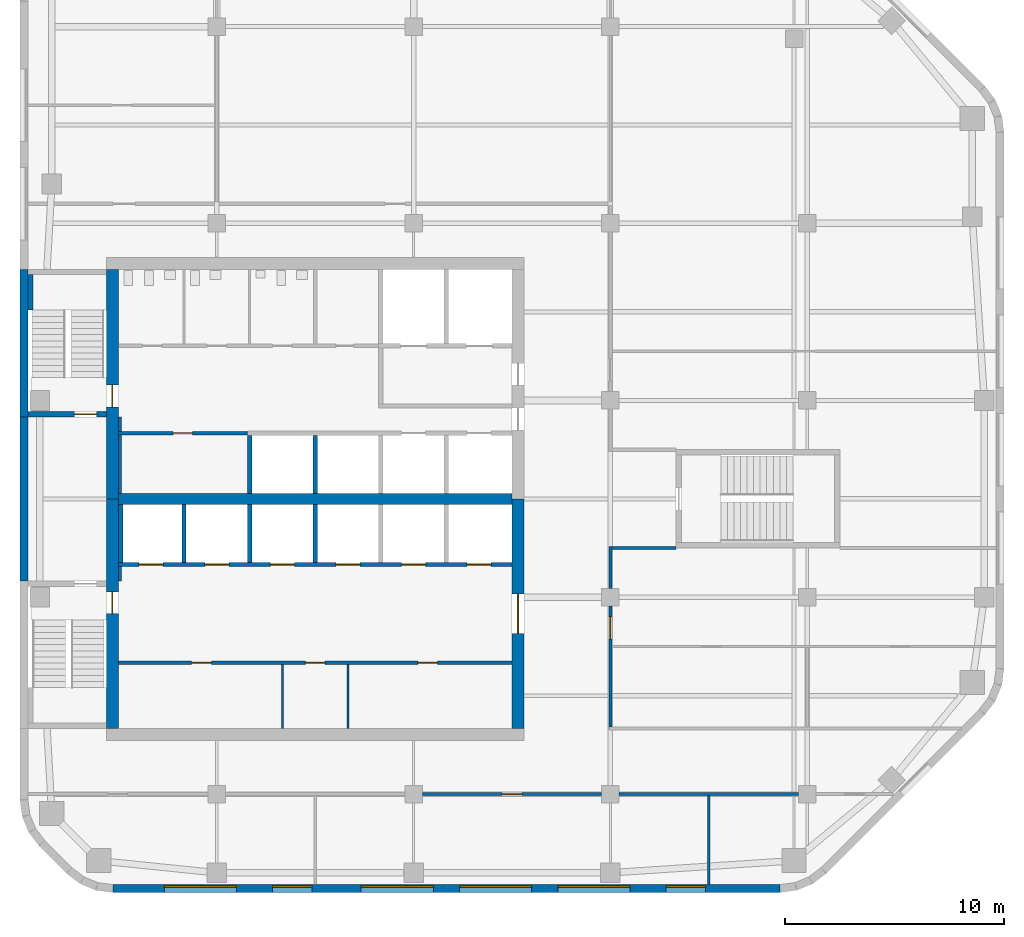
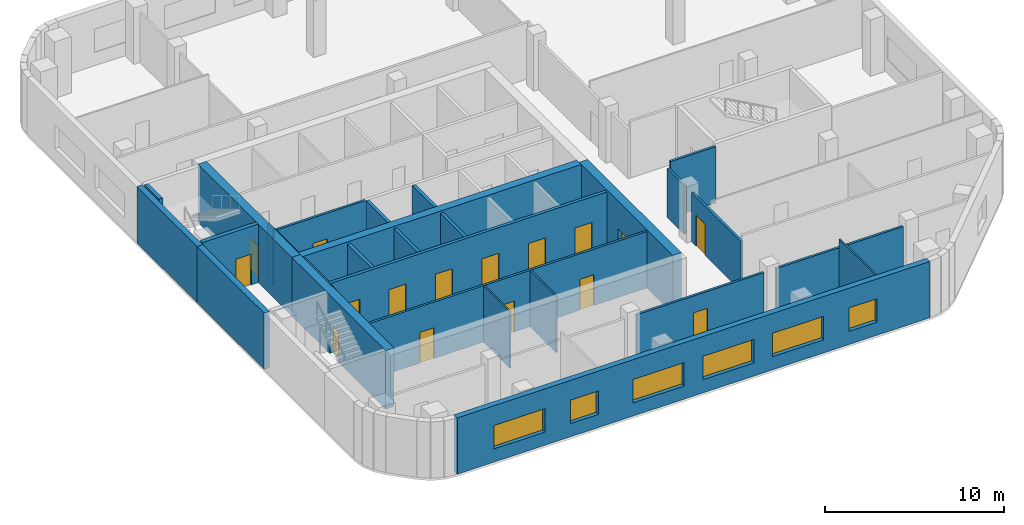
# One storey, part 3 of 7: 29 walls, 16 doors, 6 windows, 22 openings.
"""IFC4 building model written with IfcOpenShell, lengths in metres."""

from ifc_helpers import new_model, si_unit, direction, frame, frame_2d, origin, place, context, subcontext, project, spatial, rectangle, extrude, material, layer, layer_set, type_object, element, fill, save


model = new_model("IFC4")

# Units and contexts
model_context = context("Model", 3, precision=1e-05, world=origin(), true_north=direction((0.0, 1.0)))
body_context = subcontext(model_context, "Body", "Model", "MODEL_VIEW")
ifc_project = project(units=[si_unit("LENGTHUNIT", "METRE"), si_unit("AREAUNIT", "SQUARE_METRE"), si_unit("VOLUMEUNIT", "CUBIC_METRE"), si_unit("PLANEANGLEUNIT", "RADIAN"), si_unit("MASSUNIT", "GRAM", prefix="KILO")], contexts=[model_context])

# Site, building, storey
site_placement = place(None, origin())
site = spatial("IfcSite", under=ifc_project, at=site_placement, CompositionType="ELEMENT")
building_placement = place(site_placement, origin())
building = spatial("IfcBuilding", under=site, at=building_placement, Name="Cinnabar Reach Civic Tower", CompositionType="ELEMENT")
storey_placement = place(building_placement, frame((0.0, 0.0, 230.0)))
storey = spatial("IfcBuildingStorey", under=building, at=storey_placement, Name="L55", CompositionType="ELEMENT", Elevation=230.0)

# Wall, openings, windows
ifc_material_1 = material(Name="Facing brick with insulated backing", Category="masonry")
ifc_layer_1 = layer(ifc_material_1, 0.36)
ifc_layer_set_1 = layer_set([ifc_layer_1], Name="Brick pier and spandrel wall")
wall_type_1 = type_object("IfcWallType", Name="Brick pier and spandrel wall", PredefinedType="STANDARD", material=ifc_layer_set_1)
wall_1_placement = place(storey_placement, frame((4.2426, 13.68, 0.0), z_axis=(0.0, 0.0, 1.0), x_axis=(1.0, 0.0, 0.0)))
wall_1 = element("IfcWall", 1, at=wall_1_placement, inside=storey, type_object=wall_type_1, Name="Brick facade wall", PredefinedType="STANDARD", context=body_context, shape_type="SweptSolid", body=[
    extrude(rectangle(XDim=30.5148, YDim=0.36, at=frame_2d((15.2574, 0.0))), origin(), (0.0, 0.0, 1.0), 3.85),
])
opening_1_placement = place(wall_1_placement, frame((2.3574, 0.0, 0.9)))
opening_1 = element("IfcOpeningElement", 2, at=opening_1_placement, cuts=wall_1, Name="Opening W2120", PredefinedType="OPENING", context=body_context, shape_type="SweptSolid", body=[
    extrude(rectangle(XDim=3.3, YDim=1.6, at=frame_2d((1.65, 0.8))), frame((0.0, 0.19, 0.0), z_axis=(0.0, -1.0, 0.0), x_axis=(1.0, 0.0, 0.0)), (0.0, 0.0, 1.0), 0.38),
])
opening_2_placement = place(wall_1_placement, frame((7.3074, 0.0, 0.9)))
opening_2 = element("IfcOpeningElement", 3, at=opening_2_placement, cuts=wall_1, Name="Opening W2121", PredefinedType="OPENING", context=body_context, shape_type="SweptSolid", body=[
    extrude(rectangle(XDim=1.8, YDim=1.6, at=frame_2d((0.9, 0.8))), frame((0.0, 0.19, 0.0), z_axis=(0.0, -1.0, 0.0), x_axis=(1.0, 0.0, 0.0)), (0.0, 0.0, 1.0), 0.38),
])
opening_3_placement = place(wall_1_placement, frame((11.3574, 0.0, 0.9)))
opening_3 = element("IfcOpeningElement", 4, at=opening_3_placement, cuts=wall_1, Name="Opening W2122", PredefinedType="OPENING", context=body_context, shape_type="SweptSolid", body=[
    extrude(rectangle(XDim=3.3, YDim=1.6, at=frame_2d((1.65, 0.8))), frame((0.0, 0.19, 0.0), z_axis=(0.0, -1.0, 0.0), x_axis=(1.0, 0.0, 0.0)), (0.0, 0.0, 1.0), 0.38),
])
opening_4_placement = place(wall_1_placement, frame((15.8574, 0.0, 0.9)))
opening_4 = element("IfcOpeningElement", 5, at=opening_4_placement, cuts=wall_1, Name="Opening W2123", PredefinedType="OPENING", context=body_context, shape_type="SweptSolid", body=[
    extrude(rectangle(XDim=3.3, YDim=1.6, at=frame_2d((1.65, 0.8))), frame((0.0, 0.19, 0.0), z_axis=(0.0, -1.0, 0.0), x_axis=(1.0, 0.0, 0.0)), (0.0, 0.0, 1.0), 0.38),
])
opening_5_placement = place(wall_1_placement, frame((20.3574, 0.0, 0.9)))
opening_5 = element("IfcOpeningElement", 6, at=opening_5_placement, cuts=wall_1, Name="Opening W2124", PredefinedType="OPENING", context=body_context, shape_type="SweptSolid", body=[
    extrude(rectangle(XDim=3.3, YDim=1.6, at=frame_2d((1.65, 0.8))), frame((0.0, 0.19, 0.0), z_axis=(0.0, -1.0, 0.0), x_axis=(1.0, 0.0, 0.0)), (0.0, 0.0, 1.0), 0.38),
])
opening_6_placement = place(wall_1_placement, frame((25.3074, 0.0, 0.9)))
opening_6 = element("IfcOpeningElement", 7, at=opening_6_placement, cuts=wall_1, Name="Opening W2125", PredefinedType="OPENING", context=body_context, shape_type="SweptSolid", body=[
    extrude(rectangle(XDim=1.8, YDim=1.6, at=frame_2d((0.9, 0.8))), frame((0.0, 0.19, 0.0), z_axis=(0.0, -1.0, 0.0), x_axis=(1.0, 0.0, 0.0)), (0.0, 0.0, 1.0), 0.38),
])
ifc_material_2 = material(Name="Clear double glazing in aluminium frame", Category="aluminium")
window_type_1 = type_object("IfcWindowType", Name="Deep-set window A", PartitioningType="SINGLE_PANEL", PredefinedType="WINDOW", material=ifc_material_2)
window_1_placement = place(opening_1_placement, origin())
window_1 = element("IfcWindow", 8, at=window_1_placement, inside=storey, type_object=window_type_1, Name="Window south face", OverallHeight=1.6, OverallWidth=3.3, PartitioningType="SINGLE_PANEL", PredefinedType="WINDOW", context=body_context, shape_type="SweptSolid", body=[
    extrude(rectangle(XDim=3.3, YDim=1.6, at=frame_2d((1.65, 0.8))), frame((0.0, 0.13, 0.0), z_axis=(0.0, -1.0, 0.0), x_axis=(1.0, 0.0, 0.0)), (0.0, 0.0, 1.0), 0.06),
])
fill(opening_1, window_1)
window_2_placement = place(opening_3_placement, origin())
window_2 = element("IfcWindow", 9, at=window_2_placement, inside=storey, type_object=window_type_1, Name="Window south face", OverallHeight=1.6, OverallWidth=3.3, PartitioningType="SINGLE_PANEL", PredefinedType="WINDOW", context=body_context, shape_type="SweptSolid", body=[
    extrude(rectangle(XDim=3.3, YDim=1.6, at=frame_2d((1.65, 0.8))), frame((0.0, 0.13, 0.0), z_axis=(0.0, -1.0, 0.0), x_axis=(1.0, 0.0, 0.0)), (0.0, 0.0, 1.0), 0.06),
])
fill(opening_3, window_2)
window_3_placement = place(opening_4_placement, origin())
window_3 = element("IfcWindow", 10, at=window_3_placement, inside=storey, type_object=window_type_1, Name="Window south face", OverallHeight=1.6, OverallWidth=3.3, PartitioningType="SINGLE_PANEL", PredefinedType="WINDOW", context=body_context, shape_type="SweptSolid", body=[
    extrude(rectangle(XDim=3.3, YDim=1.6, at=frame_2d((1.65, 0.8))), frame((0.0, 0.13, 0.0), z_axis=(0.0, -1.0, 0.0), x_axis=(1.0, 0.0, 0.0)), (0.0, 0.0, 1.0), 0.06),
])
fill(opening_4, window_3)
window_4_placement = place(opening_5_placement, origin())
window_4 = element("IfcWindow", 11, at=window_4_placement, inside=storey, type_object=window_type_1, Name="Window south face", OverallHeight=1.6, OverallWidth=3.3, PartitioningType="SINGLE_PANEL", PredefinedType="WINDOW", context=body_context, shape_type="SweptSolid", body=[
    extrude(rectangle(XDim=3.3, YDim=1.6, at=frame_2d((1.65, 0.8))), frame((0.0, 0.13, 0.0), z_axis=(0.0, -1.0, 0.0), x_axis=(1.0, 0.0, 0.0)), (0.0, 0.0, 1.0), 0.06),
])
fill(opening_5, window_4)
window_type_2 = type_object("IfcWindowType", Name="Deep-set window D", PartitioningType="SINGLE_PANEL", PredefinedType="WINDOW", material=ifc_material_2)
window_5_placement = place(opening_2_placement, origin())
window_5 = element("IfcWindow", 12, at=window_5_placement, inside=storey, type_object=window_type_2, Name="Window south face", OverallHeight=1.6, OverallWidth=1.8, PartitioningType="SINGLE_PANEL", PredefinedType="WINDOW", context=body_context, shape_type="SweptSolid", body=[
    extrude(rectangle(XDim=1.8, YDim=1.6, at=frame_2d((0.9, 0.8))), frame((0.0, 0.13, 0.0), z_axis=(0.0, -1.0, 0.0), x_axis=(1.0, 0.0, 0.0)), (0.0, 0.0, 1.0), 0.06),
])
fill(opening_2, window_5)
window_6_placement = place(opening_6_placement, origin())
window_6 = element("IfcWindow", 13, at=window_6_placement, inside=storey, type_object=window_type_2, Name="Window south face", OverallHeight=1.6, OverallWidth=1.8, PartitioningType="SINGLE_PANEL", PredefinedType="WINDOW", context=body_context, shape_type="SweptSolid", body=[
    extrude(rectangle(XDim=1.8, YDim=1.6, at=frame_2d((0.9, 0.8))), frame((0.0, 0.13, 0.0), z_axis=(0.0, -1.0, 0.0), x_axis=(1.0, 0.0, 0.0)), (0.0, 0.0, 1.0), 0.06),
])
fill(opening_6, window_6)

# Walls
wall_2_placement = place(storey_placement, frame((0.18, 42.0, 0.0), z_axis=(0.0, 0.0, 1.0), x_axis=(0.0, -1.0, 0.0)))
element("IfcWall", 14, at=wall_2_placement, inside=storey, type_object=wall_type_1, Name="Brick facade wall", PredefinedType="STANDARD", context=body_context, shape_type="SweptSolid", body=[
    extrude(rectangle(XDim=6.75, YDim=0.36, at=frame_2d((3.375, 0.0))), origin(), (0.0, 0.0, 1.0), 3.85),
])
wall_3_placement = place(storey_placement, frame((0.18, 35.25, 0.0), z_axis=(0.0, 0.0, 1.0), x_axis=(0.0, -1.0, 0.0)))
element("IfcWall", 15, at=wall_3_placement, inside=storey, type_object=wall_type_1, Name="Brick facade wall", PredefinedType="STANDARD", context=body_context, shape_type="SweptSolid", body=[
    extrude(rectangle(XDim=7.5, YDim=0.36, at=frame_2d((3.75, 0.0))), origin(), (0.0, 0.0, 1.0), 3.85),
])
ifc_material_3 = material(Name="Concrete C60", Category="concrete")
ifc_layer_2 = layer(ifc_material_3, 0.5)
ifc_layer_set_2 = layer_set([ifc_layer_2], Name="Core wall 500 EI 180")
wall_type_2 = type_object("IfcWallType", Name="Core wall 500 EI 180", PredefinedType="SOLIDWALL", material=ifc_layer_set_2)
wall_4_placement = place(storey_placement, frame((4.5, 31.5, 0.0), z_axis=(0.0, 0.0, 1.0), x_axis=(1.0, 0.0, 0.0)))
element("IfcWall", 16, at=wall_4_placement, inside=storey, type_object=wall_type_2, Name="Core spine wall T1 L55", PredefinedType="SOLIDWALL", context=body_context, shape_type="SweptSolid", body=[
    extrude(rectangle(XDim=18.0, YDim=0.5, at=frame_2d((9.0, 0.0))), origin(), (0.0, 0.0, 1.0), 4.0),
])

# Wall, opening, door
ifc_layer_3 = layer(ifc_material_3, 0.55)
ifc_layer_set_3 = layer_set([ifc_layer_3], Name="Core wall 550 EI 180")
wall_type_3 = type_object("IfcWallType", Name="Core wall 550 EI 180", PredefinedType="SOLIDWALL", material=ifc_layer_set_3)
wall_5_placement = place(storey_placement, frame((22.775, 21.0, 0.0), z_axis=(0.0, 0.0, 1.0), x_axis=(0.0, 1.0, 0.0)))
wall_5 = element("IfcWall", 17, at=wall_5_placement, inside=storey, type_object=wall_type_3, Name="Core wall T1 L55 E", PredefinedType="SOLIDWALL", context=body_context, shape_type="SweptSolid", body=[
    extrude(rectangle(XDim=10.5, YDim=0.55, at=frame_2d((5.25, 0.0))), origin(), (0.0, 0.0, 1.0), 4.0),
])
opening_7_placement = place(wall_5_placement, frame((4.35, 0.0, 0.0)))
opening_7 = element("IfcOpeningElement", 18, at=opening_7_placement, cuts=wall_5, Name="Opening D5239", PredefinedType="OPENING", context=body_context, shape_type="SweptSolid", body=[
    extrude(rectangle(XDim=1.8, YDim=2.1, at=frame_2d((0.9, 1.05))), frame((0.0, 0.285, 0.0), z_axis=(0.0, -1.0, 0.0), x_axis=(1.0, 0.0, 0.0)), (0.0, 0.0, 1.0), 0.57),
])
ifc_material_4 = material(Name="Timber door leaf in steel frame", Category="steel")
door_type_1 = type_object("IfcDoorType", Name="Double swing door 1800 x 2100 T1", OperationType="DOUBLE_DOOR_DOUBLE_SWING", PredefinedType="DOOR", material=ifc_material_4)
door_1_placement = place(opening_7_placement, origin())
door_1 = element("IfcDoor", 19, at=door_1_placement, inside=storey, type_object=door_type_1, Name="Door D5239", OperationType="DOUBLE_DOOR_DOUBLE_SWING", OverallHeight=2.1, OverallWidth=1.8, PredefinedType="DOOR", context=body_context, shape_type="SweptSolid", body=[
    extrude(rectangle(XDim=1.8, YDim=2.1, at=frame_2d((0.9, 1.05))), frame((0.0, 0.025, 0.0), z_axis=(0.0, -1.0, 0.0), x_axis=(1.0, 0.0, 0.0)), (0.0, 0.0, 1.0), 0.05),
])
fill(opening_7, door_1)

wall_6_placement = place(storey_placement, frame((4.225, 42.0, 0.0), z_axis=(0.0, 0.0, 1.0), x_axis=(0.0, -1.0, 0.0)))
wall_6 = element("IfcWall", 20, at=wall_6_placement, inside=storey, type_object=wall_type_3, Name="Core wall T1 L55 W", PredefinedType="SOLIDWALL", context=body_context, shape_type="SweptSolid", body=[
    extrude(rectangle(XDim=10.5, YDim=0.55, at=frame_2d((5.25, 0.0))), origin(), (0.0, 0.0, 1.0), 4.0),
])
opening_8_placement = place(wall_6_placement, frame((5.3, 0.0, 0.0)))
opening_8 = element("IfcOpeningElement", 21, at=opening_8_placement, cuts=wall_6, Name="Opening D5227", PredefinedType="OPENING", context=body_context, shape_type="SweptSolid", body=[
    extrude(rectangle(XDim=1.0, YDim=2.1, at=frame_2d((0.5, 1.05))), frame((0.0, 0.285, 0.0), z_axis=(0.0, -1.0, 0.0), x_axis=(1.0, 0.0, 0.0)), (0.0, 0.0, 1.0), 0.57),
])
door_type_2 = type_object("IfcDoorType", Name="Stair door 1000 x 2100 T1", OperationType="SINGLE_SWING_LEFT", PredefinedType="DOOR", material=ifc_material_4)
door_2_placement = place(opening_8_placement, frame((1.0, 0.0, 0.0), z_axis=(0.0, 0.0, 1.0), x_axis=(-1.0, 0.0, 0.0)))
door_2 = element("IfcDoor", 22, at=door_2_placement, inside=storey, type_object=door_type_2, Name="Door D5227", OperationType="SINGLE_SWING_LEFT", OverallHeight=2.1, OverallWidth=1.0, PredefinedType="DOOR", context=body_context, shape_type="SweptSolid", body=[
    extrude(rectangle(XDim=1.0, YDim=2.1, at=frame_2d((0.5, 1.05))), frame((0.0, 0.025, 0.0), z_axis=(0.0, -1.0, 0.0), x_axis=(1.0, 0.0, 0.0)), (0.0, 0.0, 1.0), 0.05),
])
fill(opening_8, door_2)

wall_7_placement = place(storey_placement, frame((4.225, 31.5, 0.0), z_axis=(0.0, 0.0, 1.0), x_axis=(0.0, -1.0, 0.0)))
wall_7 = element("IfcWall", 23, at=wall_7_placement, inside=storey, type_object=wall_type_3, Name="Core wall T1 L55 W2", PredefinedType="SOLIDWALL", context=body_context, shape_type="SweptSolid", body=[
    extrude(rectangle(XDim=10.5, YDim=0.55, at=frame_2d((5.25, 0.0))), origin(), (0.0, 0.0, 1.0), 4.0),
])
opening_9_placement = place(wall_7_placement, frame((4.25, 0.0, 0.0)))
opening_9 = element("IfcOpeningElement", 24, at=opening_9_placement, cuts=wall_7, Name="Opening D5225", PredefinedType="OPENING", context=body_context, shape_type="SweptSolid", body=[
    extrude(rectangle(XDim=1.0, YDim=2.1, at=frame_2d((0.5, 1.05))), frame((0.0, 0.285, 0.0), z_axis=(0.0, -1.0, 0.0), x_axis=(1.0, 0.0, 0.0)), (0.0, 0.0, 1.0), 0.57),
])
door_3_placement = place(opening_9_placement, frame((1.0, 0.0, 0.0), z_axis=(0.0, 0.0, 1.0), x_axis=(-1.0, 0.0, 0.0)))
door_3 = element("IfcDoor", 25, at=door_3_placement, inside=storey, type_object=door_type_2, Name="Door D5225", OperationType="SINGLE_SWING_RIGHT", OverallHeight=2.1, OverallWidth=1.0, PredefinedType="DOOR", context=body_context, shape_type="SweptSolid", body=[
    extrude(rectangle(XDim=1.0, YDim=2.1, at=frame_2d((0.5, 1.05))), frame((0.0, 0.025, 0.0), z_axis=(0.0, -1.0, 0.0), x_axis=(1.0, 0.0, 0.0)), (0.0, 0.0, 1.0), 0.05),
])
fill(opening_9, door_3)

# Wall
ifc_material_5 = material(Name="Gypsum board on steel studs, double layer", Category="steel")
ifc_layer_4 = layer(ifc_material_5, 0.15)
ifc_layer_set_4 = layer_set([ifc_layer_4], Name="Corridor wall 150 T1")
wall_type_4 = type_object("IfcWallType", Name="Corridor wall 150 T1", PredefinedType="PARTITIONING", material=ifc_layer_set_4)
wall_8_placement = place(storey_placement, frame((27.4, 18.0, 0.0), z_axis=(0.0, 0.0, 1.0), x_axis=(1.0, 0.0, 0.0)))
element("IfcWall", 26, at=wall_8_placement, inside=storey, type_object=wall_type_4, Name="Corridor wall 19", PredefinedType="PARTITIONING", context=body_context, shape_type="SweptSolid", body=[
    extrude(rectangle(XDim=8.2, YDim=0.15, at=frame_2d((4.1, 0.0))), origin(), (0.0, 0.0, 1.0), 3.254),
])

# Wall, opening, door
wall_9_placement = place(storey_placement, frame((18.4, 18.0, 0.0), z_axis=(0.0, 0.0, 1.0), x_axis=(1.0, 0.0, 0.0)))
wall_9 = element("IfcWall", 27, at=wall_9_placement, inside=storey, type_object=wall_type_4, Name="Corridor wall 20", PredefinedType="PARTITIONING", context=body_context, shape_type="SweptSolid", body=[
    extrude(rectangle(XDim=8.2, YDim=0.15, at=frame_2d((4.1, 0.0))), origin(), (0.0, 0.0, 1.0), 3.254),
])
opening_10_placement = place(wall_9_placement, frame((3.65, 0.0, 0.0)))
opening_10 = element("IfcOpeningElement", 28, at=opening_10_placement, cuts=wall_9, Name="Opening D5257", PredefinedType="OPENING", context=body_context, shape_type="SweptSolid", body=[
    extrude(rectangle(XDim=0.9, YDim=2.1, at=frame_2d((0.45, 1.05))), frame((0.0, 0.085, 0.0), z_axis=(0.0, -1.0, 0.0), x_axis=(1.0, 0.0, 0.0)), (0.0, 0.0, 1.0), 0.17),
])
door_type_3 = type_object("IfcDoorType", Name="Single swing door 900 x 2100 corridor T1", OperationType="SINGLE_SWING_LEFT", PredefinedType="DOOR", material=ifc_material_4)
door_4_placement = place(opening_10_placement, frame((0.9, 0.0, 0.0), z_axis=(0.0, 0.0, 1.0), x_axis=(-1.0, 0.0, 0.0)))
door_4 = element("IfcDoor", 29, at=door_4_placement, inside=storey, type_object=door_type_3, Name="Door D5257", OperationType="SINGLE_SWING_RIGHT", OverallHeight=2.1, OverallWidth=0.9, PredefinedType="DOOR", context=body_context, shape_type="SweptSolid", body=[
    extrude(rectangle(XDim=0.9, YDim=2.1, at=frame_2d((0.45, 1.05))), frame((0.0, 0.025, 0.0), z_axis=(0.0, -1.0, 0.0), x_axis=(1.0, 0.0, 0.0)), (0.0, 0.0, 1.0), 0.05),
])
fill(opening_10, door_4)

# Wall, openings, doors
wall_10_placement = place(storey_placement, frame((4.5, 24.0, 0.0), z_axis=(0.0, 0.0, 1.0), x_axis=(1.0, 0.0, 0.0)))
wall_10 = element("IfcWall", 30, at=wall_10_placement, inside=storey, type_object=wall_type_4, Name="Corridor wall 24", PredefinedType="PARTITIONING", context=body_context, shape_type="SweptSolid", body=[
    extrude(rectangle(XDim=18.0, YDim=0.15, at=frame_2d((9.0, 0.0))), origin(), (0.0, 0.0, 1.0), 3.85),
])
opening_11_placement = place(wall_10_placement, frame((3.35, 0.0, 0.0)))
opening_11 = element("IfcOpeningElement", 31, at=opening_11_placement, cuts=wall_10, Name="Opening D5243", PredefinedType="OPENING", context=body_context, shape_type="SweptSolid", body=[
    extrude(rectangle(XDim=0.9, YDim=2.1, at=frame_2d((0.45, 1.05))), frame((0.0, 0.085, 0.0), z_axis=(0.0, -1.0, 0.0), x_axis=(1.0, 0.0, 0.0)), (0.0, 0.0, 1.0), 0.17),
])
opening_12_placement = place(wall_10_placement, frame((8.55, 0.0, 0.0)))
opening_12 = element("IfcOpeningElement", 32, at=opening_12_placement, cuts=wall_10, Name="Opening D5244", PredefinedType="OPENING", context=body_context, shape_type="SweptSolid", body=[
    extrude(rectangle(XDim=0.9, YDim=2.1, at=frame_2d((0.45, 1.05))), frame((0.0, 0.085, 0.0), z_axis=(0.0, -1.0, 0.0), x_axis=(1.0, 0.0, 0.0)), (0.0, 0.0, 1.0), 0.17),
])
opening_13_placement = place(wall_10_placement, frame((13.7, 0.0, 0.0)))
opening_13 = element("IfcOpeningElement", 33, at=opening_13_placement, cuts=wall_10, Name="Opening D5245", PredefinedType="OPENING", context=body_context, shape_type="SweptSolid", body=[
    extrude(rectangle(XDim=0.9, YDim=2.1, at=frame_2d((0.45, 1.05))), frame((0.0, 0.085, 0.0), z_axis=(0.0, -1.0, 0.0), x_axis=(1.0, 0.0, 0.0)), (0.0, 0.0, 1.0), 0.17),
])
door_5_placement = place(opening_11_placement, frame((0.9, 0.0, 0.0), z_axis=(0.0, 0.0, 1.0), x_axis=(-1.0, 0.0, 0.0)))
door_5 = element("IfcDoor", 34, at=door_5_placement, inside=storey, type_object=door_type_3, Name="Door D5243", OperationType="SINGLE_SWING_RIGHT", OverallHeight=2.1, OverallWidth=0.9, PredefinedType="DOOR", context=body_context, shape_type="SweptSolid", body=[
    extrude(rectangle(XDim=0.9, YDim=2.1, at=frame_2d((0.45, 1.05))), frame((0.0, 0.025, 0.0), z_axis=(0.0, -1.0, 0.0), x_axis=(1.0, 0.0, 0.0)), (0.0, 0.0, 1.0), 0.05),
])
fill(opening_11, door_5)
door_6_placement = place(opening_12_placement, frame((0.9, 0.0, 0.0), z_axis=(0.0, 0.0, 1.0), x_axis=(-1.0, 0.0, 0.0)))
door_6 = element("IfcDoor", 35, at=door_6_placement, inside=storey, type_object=door_type_3, Name="Door D5244", OperationType="SINGLE_SWING_RIGHT", OverallHeight=2.1, OverallWidth=0.9, PredefinedType="DOOR", context=body_context, shape_type="SweptSolid", body=[
    extrude(rectangle(XDim=0.9, YDim=2.1, at=frame_2d((0.45, 1.05))), frame((0.0, 0.025, 0.0), z_axis=(0.0, -1.0, 0.0), x_axis=(1.0, 0.0, 0.0)), (0.0, 0.0, 1.0), 0.05),
])
fill(opening_12, door_6)
door_7_placement = place(opening_13_placement, frame((0.9, 0.0, 0.0), z_axis=(0.0, 0.0, 1.0), x_axis=(-1.0, 0.0, 0.0)))
door_7 = element("IfcDoor", 36, at=door_7_placement, inside=storey, type_object=door_type_3, Name="Door D5245", OperationType="SINGLE_SWING_RIGHT", OverallHeight=2.1, OverallWidth=0.9, PredefinedType="DOOR", context=body_context, shape_type="SweptSolid", body=[
    extrude(rectangle(XDim=0.9, YDim=2.1, at=frame_2d((0.45, 1.05))), frame((0.0, 0.025, 0.0), z_axis=(0.0, -1.0, 0.0), x_axis=(1.0, 0.0, 0.0)), (0.0, 0.0, 1.0), 0.05),
])
fill(opening_13, door_7)

# Wall, opening, door
wall_11_placement = place(storey_placement, frame((27.0, 21.075, 0.0), z_axis=(0.0, 0.0, 1.0), x_axis=(0.0, 1.0, 0.0)))
wall_11 = element("IfcWall", 37, at=wall_11_placement, inside=storey, type_object=wall_type_4, Name="Corridor wall 30", PredefinedType="PARTITIONING", context=body_context, shape_type="SweptSolid", body=[
    extrude(rectangle(XDim=5.525, YDim=0.15, at=frame_2d((2.7625, 0.0))), origin(), (0.0, 0.0, 1.0), 3.35),
])
opening_14_placement = place(wall_11_placement, frame((4.025, 0.0, 0.0)))
opening_14 = element("IfcOpeningElement", 38, at=opening_14_placement, cuts=wall_11, Name="Opening D5253", PredefinedType="OPENING", context=body_context, shape_type="SweptSolid", body=[
    extrude(rectangle(XDim=1.0, YDim=2.1, at=frame_2d((0.5, 1.05))), frame((0.0, 0.085, 0.0), z_axis=(0.0, -1.0, 0.0), x_axis=(1.0, 0.0, 0.0)), (0.0, 0.0, 1.0), 0.17),
])
door_type_4 = type_object("IfcDoorType", Name="Tenancy entrance door 1000 x 2100 T1", OperationType="SINGLE_SWING_LEFT", PredefinedType="DOOR", material=ifc_material_4)
door_8_placement = place(opening_14_placement, frame((1.0, 0.0, 0.0), z_axis=(0.0, 0.0, 1.0), x_axis=(-1.0, 0.0, 0.0)))
door_8 = element("IfcDoor", 39, at=door_8_placement, inside=storey, type_object=door_type_4, Name="Door D5253", OperationType="SINGLE_SWING_RIGHT", OverallHeight=2.1, OverallWidth=1.0, PredefinedType="DOOR", context=body_context, shape_type="SweptSolid", body=[
    extrude(rectangle(XDim=1.0, YDim=2.1, at=frame_2d((0.5, 1.05))), frame((0.0, 0.025, 0.0), z_axis=(0.0, -1.0, 0.0), x_axis=(1.0, 0.0, 0.0)), (0.0, 0.0, 1.0), 0.05),
])
fill(opening_14, door_8)

# Wall
wall_12_placement = place(storey_placement, frame((27.0, 27.4, 0.0), z_axis=(0.0, 0.0, 1.0), x_axis=(0.0, 1.0, 0.0)))
element("IfcWall", 40, at=wall_12_placement, inside=storey, type_object=wall_type_4, Name="Corridor wall 31", PredefinedType="PARTITIONING", context=body_context, shape_type="SweptSolid", body=[
    extrude(rectangle(XDim=1.925, YDim=0.15, at=frame_2d((0.9625, 0.0))), origin(), (0.0, 0.0, 1.0), 3.35),
])

# Wall, opening, door
wall_13_placement = place(storey_placement, frame((4.5, 34.5, 0.0), z_axis=(0.0, 0.0, 1.0), x_axis=(1.0, 0.0, 0.0)))
wall_13 = element("IfcWall", 41, at=wall_13_placement, inside=storey, type_object=wall_type_4, Name="Corridor wall 32", PredefinedType="PARTITIONING", context=body_context, shape_type="SweptSolid", body=[
    extrude(rectangle(XDim=5.9, YDim=0.15, at=frame_2d((2.95, 0.0))), origin(), (0.0, 0.0, 1.0), 3.85),
])
opening_15_placement = place(wall_13_placement, frame((2.5, 0.0, 0.0)))
opening_15 = element("IfcOpeningElement", 42, at=opening_15_placement, cuts=wall_13, Name="Opening D5246", PredefinedType="OPENING", context=body_context, shape_type="SweptSolid", body=[
    extrude(rectangle(XDim=0.9, YDim=2.1, at=frame_2d((0.45, 1.05))), frame((0.0, 0.085, 0.0), z_axis=(0.0, -1.0, 0.0), x_axis=(1.0, 0.0, 0.0)), (0.0, 0.0, 1.0), 0.17),
])
door_9_placement = place(opening_15_placement, frame((0.9, 0.0, 0.0), z_axis=(0.0, 0.0, 1.0), x_axis=(-1.0, 0.0, 0.0)))
door_9 = element("IfcDoor", 43, at=door_9_placement, inside=storey, type_object=door_type_3, Name="Door D5246", OperationType="SINGLE_SWING_LEFT", OverallHeight=2.1, OverallWidth=0.9, PredefinedType="DOOR", context=body_context, shape_type="SweptSolid", body=[
    extrude(rectangle(XDim=0.9, YDim=2.1, at=frame_2d((0.45, 1.05))), frame((0.0, 0.025, 0.0), z_axis=(0.0, -1.0, 0.0), x_axis=(1.0, 0.0, 0.0)), (0.0, 0.0, 1.0), 0.05),
])
fill(opening_15, door_9)

# Walls
wall_14_placement = place(storey_placement, frame((4.575, 34.575, 0.0), z_axis=(0.0, 0.0, 1.0), x_axis=(0.0, 1.0, 0.0)))
element("IfcWall", 44, at=wall_14_placement, inside=storey, type_object=wall_type_4, Name="Corridor wall 33", PredefinedType="PARTITIONING", context=body_context, shape_type="SweptSolid", body=[
    extrude(rectangle(XDim=0.675, YDim=0.15, at=frame_2d((0.3375, 0.0))), origin(), (0.0, 0.0, 1.0), 3.85),
])
wall_15_placement = place(storey_placement, frame((4.575, 31.75, 0.0), z_axis=(0.0, 0.0, 1.0), x_axis=(0.0, 1.0, 0.0)))
element("IfcWall", 45, at=wall_15_placement, inside=storey, type_object=wall_type_4, Name="Corridor wall 34", PredefinedType="PARTITIONING", context=body_context, shape_type="SweptSolid", body=[
    extrude(rectangle(XDim=2.675, YDim=0.15, at=frame_2d((1.3375, 0.0))), origin(), (0.0, 0.0, 1.0), 3.85),
])
wall_16_placement = place(storey_placement, frame((27.075, 29.25, 0.0), z_axis=(0.0, 0.0, 1.0), x_axis=(1.0, 0.0, 0.0)))
element("IfcWall", 46, at=wall_16_placement, inside=storey, type_object=wall_type_4, Name="Corridor wall 35", PredefinedType="PARTITIONING", context=body_context, shape_type="SweptSolid", body=[
    extrude(rectangle(XDim=2.925, YDim=0.15, at=frame_2d((1.4625, 0.0))), origin(), (0.0, 0.0, 1.0), 3.85),
])
wall_17_placement = place(storey_placement, frame((4.575, 27.75, 0.0), z_axis=(0.0, 0.0, 1.0), x_axis=(0.0, 1.0, 0.0)))
element("IfcWall", 47, at=wall_17_placement, inside=storey, type_object=wall_type_4, Name="Corridor wall 37", PredefinedType="PARTITIONING", context=body_context, shape_type="SweptSolid", body=[
    extrude(rectangle(XDim=0.65, YDim=0.15, at=frame_2d((0.325, 0.0))), origin(), (0.0, 0.0, 1.0), 3.85),
])

# Wall, openings, doors
ifc_material_6 = material(Name="Blockwork", Category="masonry")
ifc_layer_5 = layer(ifc_material_6, 0.2)
ifc_layer_set_5 = layer_set([ifc_layer_5], Name="Lift shaft wall 200 T1")
wall_type_5 = type_object("IfcWallType", Name="Lift shaft wall 200 T1", PredefinedType="PARTITIONING", material=ifc_layer_set_5)
wall_18_placement = place(storey_placement, frame((4.5, 28.5, 0.0), z_axis=(0.0, 0.0, 1.0), x_axis=(1.0, 0.0, 0.0)))
wall_18 = element("IfcWall", 48, at=wall_18_placement, inside=storey, type_object=wall_type_5, Name="Lift shaft wall 4", PredefinedType="PARTITIONING", context=body_context, shape_type="SweptSolid", body=[
    extrude(rectangle(XDim=18.0, YDim=0.2, at=frame_2d((9.0, 0.0))), origin(), (0.0, 0.0, 1.0), 3.85),
])
opening_16_placement = place(wall_18_placement, frame((0.95, 0.0, 0.0)))
opening_16 = element("IfcOpeningElement", 49, at=opening_16_placement, cuts=wall_18, Name="Opening D5229", PredefinedType="OPENING", context=body_context, shape_type="SweptSolid", body=[
    extrude(rectangle(XDim=1.1, YDim=2.1, at=frame_2d((0.55, 1.05))), frame((0.0, 0.11, 0.0), z_axis=(0.0, -1.0, 0.0), x_axis=(1.0, 0.0, 0.0)), (0.0, 0.0, 1.0), 0.22),
])
opening_17_placement = place(wall_18_placement, frame((3.95, 0.0, 0.0)))
opening_17 = element("IfcOpeningElement", 50, at=opening_17_placement, cuts=wall_18, Name="Opening D5230", PredefinedType="OPENING", context=body_context, shape_type="SweptSolid", body=[
    extrude(rectangle(XDim=1.1, YDim=2.1, at=frame_2d((0.55, 1.05))), frame((0.0, 0.11, 0.0), z_axis=(0.0, -1.0, 0.0), x_axis=(1.0, 0.0, 0.0)), (0.0, 0.0, 1.0), 0.22),
])
opening_18_placement = place(wall_18_placement, frame((6.95, 0.0, 0.0)))
opening_18 = element("IfcOpeningElement", 51, at=opening_18_placement, cuts=wall_18, Name="Opening D5231", PredefinedType="OPENING", context=body_context, shape_type="SweptSolid", body=[
    extrude(rectangle(XDim=1.1, YDim=2.1, at=frame_2d((0.55, 1.05))), frame((0.0, 0.11, 0.0), z_axis=(0.0, -1.0, 0.0), x_axis=(1.0, 0.0, 0.0)), (0.0, 0.0, 1.0), 0.22),
])
opening_19_placement = place(wall_18_placement, frame((9.95, 0.0, 0.0)))
opening_19 = element("IfcOpeningElement", 52, at=opening_19_placement, cuts=wall_18, Name="Opening D5232", PredefinedType="OPENING", context=body_context, shape_type="SweptSolid", body=[
    extrude(rectangle(XDim=1.1, YDim=2.1, at=frame_2d((0.55, 1.05))), frame((0.0, 0.11, 0.0), z_axis=(0.0, -1.0, 0.0), x_axis=(1.0, 0.0, 0.0)), (0.0, 0.0, 1.0), 0.22),
])
opening_20_placement = place(wall_18_placement, frame((12.95, 0.0, 0.0)))
opening_20 = element("IfcOpeningElement", 53, at=opening_20_placement, cuts=wall_18, Name="Opening D5233", PredefinedType="OPENING", context=body_context, shape_type="SweptSolid", body=[
    extrude(rectangle(XDim=1.1, YDim=2.1, at=frame_2d((0.55, 1.05))), frame((0.0, 0.11, 0.0), z_axis=(0.0, -1.0, 0.0), x_axis=(1.0, 0.0, 0.0)), (0.0, 0.0, 1.0), 0.22),
])
opening_21_placement = place(wall_18_placement, frame((15.95, 0.0, 0.0)))
opening_21 = element("IfcOpeningElement", 54, at=opening_21_placement, cuts=wall_18, Name="Opening D5234", PredefinedType="OPENING", context=body_context, shape_type="SweptSolid", body=[
    extrude(rectangle(XDim=1.1, YDim=2.1, at=frame_2d((0.55, 1.05))), frame((0.0, 0.11, 0.0), z_axis=(0.0, -1.0, 0.0), x_axis=(1.0, 0.0, 0.0)), (0.0, 0.0, 1.0), 0.22),
])
ifc_material_7 = material(Name="Stainless steel sliding door", Category="steel")
door_type_5 = type_object("IfcDoorType", Name="Lift landing door 1100 x 2100 T1", OperationType="SLIDING_TO_LEFT", PredefinedType="DOOR", material=ifc_material_7)
door_10_placement = place(opening_16_placement, origin())
door_10 = element("IfcDoor", 55, at=door_10_placement, inside=storey, type_object=door_type_5, Name="Lift landing door HR1 L55", OperationType="SLIDING_TO_LEFT", OverallHeight=2.1, OverallWidth=1.1, PredefinedType="DOOR", context=body_context, shape_type="SweptSolid", body=[
    extrude(rectangle(XDim=1.1, YDim=2.1, at=frame_2d((0.55, 1.05))), frame((0.0, 0.025, 0.0), z_axis=(0.0, -1.0, 0.0), x_axis=(1.0, 0.0, 0.0)), (0.0, 0.0, 1.0), 0.05),
])
fill(opening_16, door_10)
door_11_placement = place(opening_17_placement, origin())
door_11 = element("IfcDoor", 56, at=door_11_placement, inside=storey, type_object=door_type_5, Name="Lift landing door HR2 L55", OperationType="SLIDING_TO_LEFT", OverallHeight=2.1, OverallWidth=1.1, PredefinedType="DOOR", context=body_context, shape_type="SweptSolid", body=[
    extrude(rectangle(XDim=1.1, YDim=2.1, at=frame_2d((0.55, 1.05))), frame((0.0, 0.025, 0.0), z_axis=(0.0, -1.0, 0.0), x_axis=(1.0, 0.0, 0.0)), (0.0, 0.0, 1.0), 0.05),
])
fill(opening_17, door_11)
door_12_placement = place(opening_18_placement, origin())
door_12 = element("IfcDoor", 57, at=door_12_placement, inside=storey, type_object=door_type_5, Name="Lift landing door HR3 L55", OperationType="SLIDING_TO_LEFT", OverallHeight=2.1, OverallWidth=1.1, PredefinedType="DOOR", context=body_context, shape_type="SweptSolid", body=[
    extrude(rectangle(XDim=1.1, YDim=2.1, at=frame_2d((0.55, 1.05))), frame((0.0, 0.025, 0.0), z_axis=(0.0, -1.0, 0.0), x_axis=(1.0, 0.0, 0.0)), (0.0, 0.0, 1.0), 0.05),
])
fill(opening_18, door_12)
door_13_placement = place(opening_19_placement, origin())
door_13 = element("IfcDoor", 58, at=door_13_placement, inside=storey, type_object=door_type_5, Name="Lift landing door HR4 L55", OperationType="SLIDING_TO_LEFT", OverallHeight=2.1, OverallWidth=1.1, PredefinedType="DOOR", context=body_context, shape_type="SweptSolid", body=[
    extrude(rectangle(XDim=1.1, YDim=2.1, at=frame_2d((0.55, 1.05))), frame((0.0, 0.025, 0.0), z_axis=(0.0, -1.0, 0.0), x_axis=(1.0, 0.0, 0.0)), (0.0, 0.0, 1.0), 0.05),
])
fill(opening_19, door_13)
door_14_placement = place(opening_20_placement, origin())
door_14 = element("IfcDoor", 59, at=door_14_placement, inside=storey, type_object=door_type_5, Name="Lift landing door HR5 L55", OperationType="SLIDING_TO_LEFT", OverallHeight=2.1, OverallWidth=1.1, PredefinedType="DOOR", context=body_context, shape_type="SweptSolid", body=[
    extrude(rectangle(XDim=1.1, YDim=2.1, at=frame_2d((0.55, 1.05))), frame((0.0, 0.025, 0.0), z_axis=(0.0, -1.0, 0.0), x_axis=(1.0, 0.0, 0.0)), (0.0, 0.0, 1.0), 0.05),
])
fill(opening_20, door_14)
door_15_placement = place(opening_21_placement, origin())
door_15 = element("IfcDoor", 60, at=door_15_placement, inside=storey, type_object=door_type_5, Name="Lift landing door HR6 L55", OperationType="SLIDING_TO_LEFT", OverallHeight=2.1, OverallWidth=1.1, PredefinedType="DOOR", context=body_context, shape_type="SweptSolid", body=[
    extrude(rectangle(XDim=1.1, YDim=2.1, at=frame_2d((0.55, 1.05))), frame((0.0, 0.025, 0.0), z_axis=(0.0, -1.0, 0.0), x_axis=(1.0, 0.0, 0.0)), (0.0, 0.0, 1.0), 0.05),
])
fill(opening_21, door_15)

# Walls
for number, where, z_axis, x_axis, name in (
    (61, (10.5, 28.6, 0.0), (0.0, 0.0, 1.0), (0.0, 1.0, 0.0), "Lift shaft wall 6"),
    (62, (10.5, 31.75, 0.0), (0.0, 0.0, 1.0), (0.0, 1.0, 0.0), "Lift shaft wall 7"),
    (63, (13.5, 28.6, 0.0), (0.0, 0.0, 1.0), (0.0, 1.0, 0.0), "Lift shaft wall 8"),
    (64, (13.5, 31.75, 0.0), (0.0, 0.0, 1.0), (0.0, 1.0, 0.0), "Lift shaft wall 9"),
    (65, (4.6, 28.6, 0.0), (0.0, 0.0, 1.0), (0.0, 1.0, 0.0), "Lift shaft wall 16"),
    (66, (7.5, 28.6, 0.0), (0.0, 0.0, 1.0), (0.0, 1.0, 0.0), "Lift shaft wall 17"),
):
    element("IfcWall", number, at=place(storey_placement, frame(where, z_axis=z_axis, x_axis=x_axis)), inside=storey, type_object=wall_type_5, Name=name, PredefinedType="PARTITIONING", context=body_context, shape_type="SweptSolid", body=[
        extrude(rectangle(XDim=2.65, YDim=0.2, at=frame_2d((1.325, 0.0))), origin(), (0.0, 0.0, 1.0), 3.85),
    ])
ifc_material_8 = material(Name="Gypsum board on steel studs", Category="steel")
ifc_layer_6 = layer(ifc_material_8, 0.1)
ifc_layer_set_6 = layer_set([ifc_layer_6], Name="Partition wall 100 T1")
wall_type_6 = type_object("IfcWallType", Name="Partition wall 100 T1", PredefinedType="PARTITIONING", material=ifc_layer_set_6)
wall_19_placement = place(storey_placement, frame((31.5, 13.86, 0.0), z_axis=(0.0, 0.0, 1.0), x_axis=(0.0, 1.0, 0.0)))
element("IfcWall", 67, at=wall_19_placement, inside=storey, type_object=wall_type_6, Name="Partition wall 48", PredefinedType="PARTITIONING", context=body_context, shape_type="SweptSolid", body=[
    extrude(rectangle(XDim=4.065, YDim=0.1, at=frame_2d((2.0325, 0.0))), origin(), (0.0, 0.0, 1.0), 3.85),
])
for number, where, z_axis, x_axis, name in (
    (68, (12.0, 21.0, 0.0), (0.0, 0.0, 1.0), (0.0, 1.0, 0.0), "Partition wall 52"),
    (69, (15.0, 21.0, 0.0), (0.0, 0.0, 1.0), (0.0, 1.0, 0.0), "Partition wall 53"),
):
    element("IfcWall", number, at=place(storey_placement, frame(where, z_axis=z_axis, x_axis=x_axis)), inside=storey, type_object=wall_type_6, Name=name, PredefinedType="PARTITIONING", context=body_context, shape_type="SweptSolid", body=[
        extrude(rectangle(XDim=2.925, YDim=0.1, at=frame_2d((1.4625, 0.0))), origin(), (0.0, 0.0, 1.0), 3.85),
    ])

# Wall, opening, door
ifc_layer_7 = layer(ifc_material_3, 0.25)
ifc_layer_set_7 = layer_set([ifc_layer_7], Name="Stair shaft wall 250 EI 120")
wall_type_7 = type_object("IfcWallType", Name="Stair shaft wall 250 EI 120", PredefinedType="SOLIDWALL", material=ifc_layer_set_7)
wall_20_placement = place(storey_placement, frame((0.36, 35.375, 0.0), z_axis=(0.0, 0.0, 1.0), x_axis=(1.0, 0.0, 0.0)))
wall_20 = element("IfcWall", 70, at=wall_20_placement, inside=storey, type_object=wall_type_7, Name="Stair shaft wall T1-S2 L55", PredefinedType="SOLIDWALL", context=body_context, shape_type="SweptSolid", body=[
    extrude(rectangle(XDim=3.59, YDim=0.25, at=frame_2d((1.795, 0.0))), origin(), (0.0, 0.0, 1.0), 4.0),
])
opening_22_placement = place(wall_20_placement, frame((2.14, 0.0, 0.0)))
opening_22 = element("IfcOpeningElement", 71, at=opening_22_placement, cuts=wall_20, Name="Opening D5228", PredefinedType="OPENING", context=body_context, shape_type="SweptSolid", body=[
    extrude(rectangle(XDim=1.0, YDim=2.1, at=frame_2d((0.5, 1.05))), frame((0.0, 0.135, 0.0), z_axis=(0.0, -1.0, 0.0), x_axis=(1.0, 0.0, 0.0)), (0.0, 0.0, 1.0), 0.27),
])
door_16_placement = place(opening_22_placement, origin())
door_16 = element("IfcDoor", 72, at=door_16_placement, inside=storey, type_object=door_type_2, Name="Door D5228", OperationType="SINGLE_SWING_RIGHT", OverallHeight=2.1, OverallWidth=1.0, PredefinedType="DOOR", context=body_context, shape_type="SweptSolid", body=[
    extrude(rectangle(XDim=1.0, YDim=2.1, at=frame_2d((0.5, 1.05))), frame((0.0, 0.025, 0.0), z_axis=(0.0, -1.0, 0.0), x_axis=(1.0, 0.0, 0.0)), (0.0, 0.0, 1.0), 0.05),
])
fill(opening_22, door_16)

# Wall
ifc_material_9 = material(Name="Concrete C40/50", Category="concrete")
ifc_layer_8 = layer(ifc_material_9, 0.24)
ifc_layer_set_8 = layer_set([ifc_layer_8], Name="T1 landing bearer wall 240")
wall_type_8 = type_object("IfcWallType", Name="T1 landing bearer wall 240", PredefinedType="STANDARD", material=ifc_layer_set_8)
wall_21_placement = place(storey_placement, frame((0.48, 40.13, 0.0), z_axis=(0.0, 0.0, 1.0), x_axis=(0.0, 1.0, 0.0)))
element("IfcWall", 73, at=wall_21_placement, inside=storey, type_object=wall_type_8, Name="T1-S2 landing bearer wall", PredefinedType="STANDARD", context=body_context, shape_type="SweptSolid", body=[
    extrude(rectangle(XDim=1.62, YDim=0.24, at=frame_2d((0.81, 0.0))), origin(), (0.0, 0.0, 1.0), 4.0),
])

save(model, "model.ifc")
